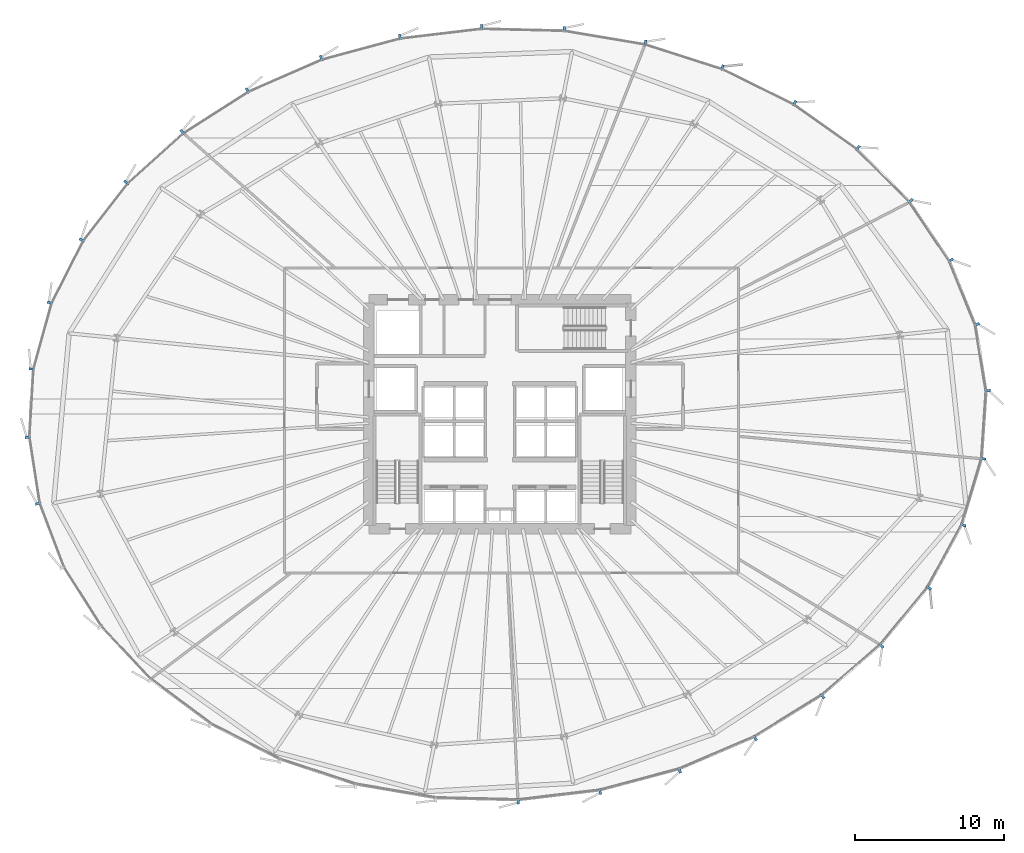
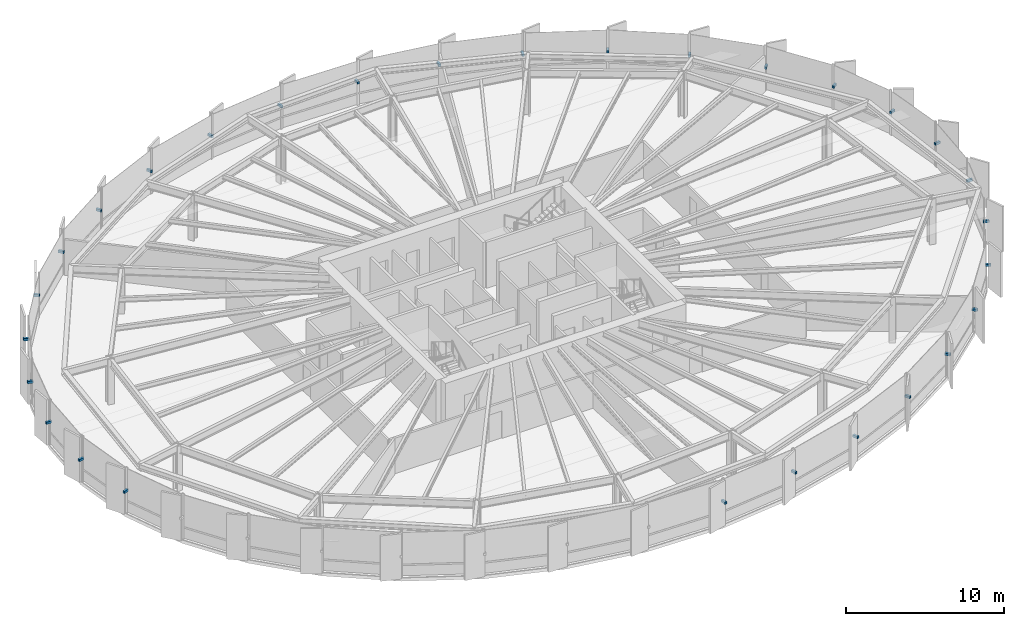
# One storey, part 32 of 39: 29 discrete accessories.
"""IFC4 building model written with IfcOpenShell, lengths in metres."""

from ifc_helpers import new_model, si_unit, direction, frame, origin, origin_2d, place, context, subcontext, project, spatial, rectangle, extrude, source, transform, mapped, material, type_object, element, save


model = new_model("IFC4")

# Units and contexts
model_context = context("Model", 3, precision=1e-05, world=origin(), true_north=direction((0.0, 1.0)))
body_context = subcontext(model_context, "Body", "Model", "MODEL_VIEW")
ifc_project = project(units=[si_unit("LENGTHUNIT", "METRE"), si_unit("AREAUNIT", "SQUARE_METRE"), si_unit("VOLUMEUNIT", "CUBIC_METRE"), si_unit("PLANEANGLEUNIT", "RADIAN"), si_unit("MASSUNIT", "GRAM", prefix="KILO"), si_unit("THERMODYNAMICTEMPERATUREUNIT", "KELVIN")], contexts=[model_context])

# Site, building, storey
site_placement = place(None, origin())
site = spatial("IfcSite", under=ifc_project, at=site_placement, CompositionType="ELEMENT")
building_placement = place(site_placement, origin())
building = spatial("IfcBuilding", under=site, at=building_placement, Name="Kethvar Cultural Tower", CompositionType="ELEMENT")
storey_placement = place(building_placement, frame((0.0, 0.0, 41.0)))
storey = spatial("IfcBuildingStorey", under=building, at=storey_placement, Name="L09", CompositionType="ELEMENT", Elevation=41.0)

# Discrete accessories
ifc_material = material(Name="Steel S355J2", Category="steel")
discrete_accessory_type = type_object("IfcDiscreteAccessoryType", Name="Steel Fin Bracket BRK-01", PredefinedType="BRACKET", material=ifc_material)
shared_shape = source(origin(), body_context, "Body", "SweptSolid", [
    extrude(rectangle(XDim=0.3798828125, YDim=0.159912109375, at=origin_2d()), origin(), (0.0, 0.0, 1.0), 0.179931640625),
])
for number, where, z_axis, x_axis, name in (
    (1, (79.5615234375, 29.38818359375, 1.68505859375), (0.0, 0.0, 1.0), (0.986883906564, 0.161431579828, 0.0), "L09 Terracotta Fin Bracket 1.1"),
    (2, (78.833740234375, 33.837890625, 1.68505859375), (0.0, 0.0, 1.0), (0.926462953239, 0.376385967161, 0.0), "L09 Terracotta Fin Bracket 1.2"),
    (3, (77.083984375, 38.143798828125, 1.68505859375), (0.0, 0.0, 1.0), (0.828549269077, 0.559916162217, 0.0), "L09 Terracotta Fin Bracket 1.3"),
    (4, (74.3876953125, 42.134033203125, 1.68505859375), (0.0, 0.0, 1.0), (0.708586190225, 0.705624270432, 0.0), "L09 Terracotta Fin Bracket 1.4"),
    (5, (70.847412109375, 45.688232421875, 1.68505859375), (0.0, 0.0, 1.0), (0.578000058462, 0.816036722469, 0.0), "L09 Terracotta Fin Bracket 1.5"),
    (6, (66.59521484375, 48.69970703125, 1.68505859375), (0.0, 0.0, 1.0), (0.442914717678, 0.89656374724, 0.0), "L09 Terracotta Fin Bracket 1.6"),
    (7, (61.741455078125, 51.091064453125, 1.68505859375), (0.0, 0.0, 1.0), (0.30552912238, 0.952182732136, 0.0), "L09 Terracotta Fin Bracket 2.1"),
    (8, (56.56689453125, 52.751708984375, 1.68505859375), (0.0, 0.0, 1.0), (0.166080351041, 0.986112223329, 0.0), "L09 Terracotta Fin Bracket 2.2"),
    (9, (51.112548828125, 53.670166015625, 1.68505859375), (0.0, 0.0, 1.0), (0.024257696956, 0.999705738774, 0.0), "L09 Terracotta Fin Bracket 2.3"),
    (10, (45.572998046875, 53.8046875, 1.68505859375), (0.0, 0.0, 1.0), (-0.118403968307, 0.992965508107, 0.0), "L09 Terracotta Fin Bracket 2.4"),
    (11, (40.083740234375, 53.14990234375, 1.68505859375), (0.0, 0.0, 1.0), (-0.260335997913, 0.965518082788, 0.0), "L09 Terracotta Fin Bracket 2.5"),
    (12, (34.798583984375, 51.724853515625, 1.68505859375), (0.0, 0.0, 1.0), (-0.400668879095, 0.916222925562, 0.0), "L09 Terracotta Fin Bracket 2.6"),
    (13, (29.842529296875, 49.550048828125, 1.68505859375), (0.0, 0.0, 1.0), (-0.538182511035, 0.842828324641, 0.0), "L09 Terracotta Fin Bracket 3.1"),
    (14, (25.4716796875, 46.75927734375, 1.68505859375), (0.0, 0.0, 1.0), (-0.669649256215, 0.742677503127, 0.0), "L09 Terracotta Fin Bracket 3.2"),
    (15, (21.713134765625, 43.36962890625, 1.68505859375), (0.0, 0.0, 1.0), (-0.790155012376, 0.612907053653, 0.0), "L09 Terracotta Fin Bracket 3.3"),
    (16, (18.716796875, 39.5068359375, 1.68505859375), (0.0, 0.0, 1.0), (-0.891560513111, 0.452901591366, 0.0), "L09 Terracotta Fin Bracket 3.4"),
    (17, (16.57373046875, 35.2880859375, 1.68505859375), (0.0, 0.0, 1.0), (-0.964095404234, 0.265556117487, 0.0), "L09 Terracotta Fin Bracket 3.5"),
    (18, (15.34912109375, 30.841796875, 1.68505859375), (0.0, 0.0, 1.0), (-0.998250163635, 0.059132146956, 0.0), "L09 Terracotta Fin Bracket 3.6"),
    (19, (15.0869140625, 26.26123046875, 1.68505859375), (0.0, 0.0, 1.0), (-0.98825506746, -0.152813355565, 0.0), "L09 Terracotta Fin Bracket 4.1"),
    (20, (15.775634765625, 21.809814453125, 1.68505859375), (0.0, 0.0, 1.0), (-0.934825676396, -0.355106962408, 0.0), "L09 Terracotta Fin Bracket 4.2"),
    (21, (48.027099609375, 1.79541015625, 1.68505859375), (0.0, 0.0, 1.0), (0.118230661329, -0.992986158374, 0.0), "L09 Terracotta Fin Bracket 5.4"),
    (22, (53.529296875, 2.45068359375, 1.68505859375), (0.0, 0.0, 1.0), (0.258144638645, -0.966106280664, 0.0), "L09 Terracotta Fin Bracket 5.5"),
    (23, (58.873046875, 3.87841796875, 1.68505859375), (0.0, 0.0, 1.0), (0.393941909591, -0.919135339255, 0.0), "L09 Terracotta Fin Bracket 5.6"),
    (24, (63.943115234375, 6.05810546875, 1.68505859375), (0.0, 0.0, 1.0), (0.525323148518, -0.850902808569, 0.0), "L09 Terracotta Fin Bracket 6.1"),
    (25, (68.4755859375, 8.85693359375, 1.68505859375), (0.0, 0.0, 1.0), (0.652230713301, -0.758020512009, 0.0), "L09 Terracotta Fin Bracket 6.2"),
    (26, (72.42529296875, 12.25537109375, 1.68505859375), (0.0, 0.0, 1.0), (0.771846569558, -0.63580883374, 0.0), "L09 Terracotta Fin Bracket 6.3"),
    (27, (75.615234375, 16.12744140625, 1.68505859375), (0.0, 0.0, 1.0), (0.877564903719, -0.479457860256, 0.0), "L09 Terracotta Fin Bracket 6.4"),
    (28, (77.924072265625, 20.35400390625, 1.68505859375), (0.0, 0.0, 1.0), (0.957772326385, -0.287527687034, 0.0), "L09 Terracotta Fin Bracket 6.5"),
    (29, (79.26025390625, 24.8056640625, 1.68505859375), (0.0, 0.0, 1.0), (0.997707959868, -0.067667029017, 0.0), "L09 Terracotta Fin Bracket 6.6"),
):
    element("IfcDiscreteAccessory", number, at=place(storey_placement, frame(where, z_axis=z_axis, x_axis=x_axis)), inside=storey, type_object=discrete_accessory_type, Name=name, PredefinedType="BRACKET", context=body_context, shape_type="MappedRepresentation", body=[
        mapped(shared_shape, transform((0.0, 0.0, 0.0), scale=1.0)),
    ])

save(model, "model.ifc")
